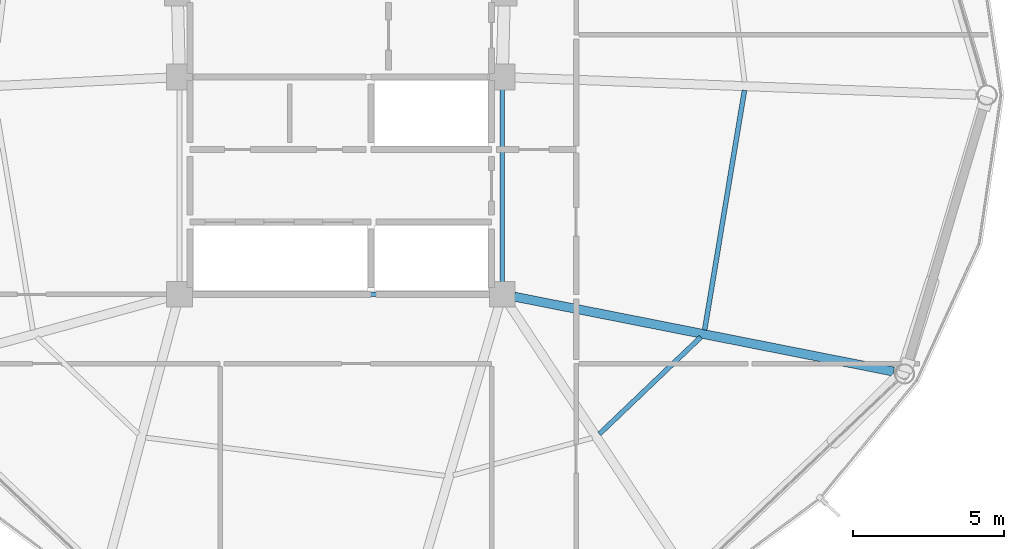
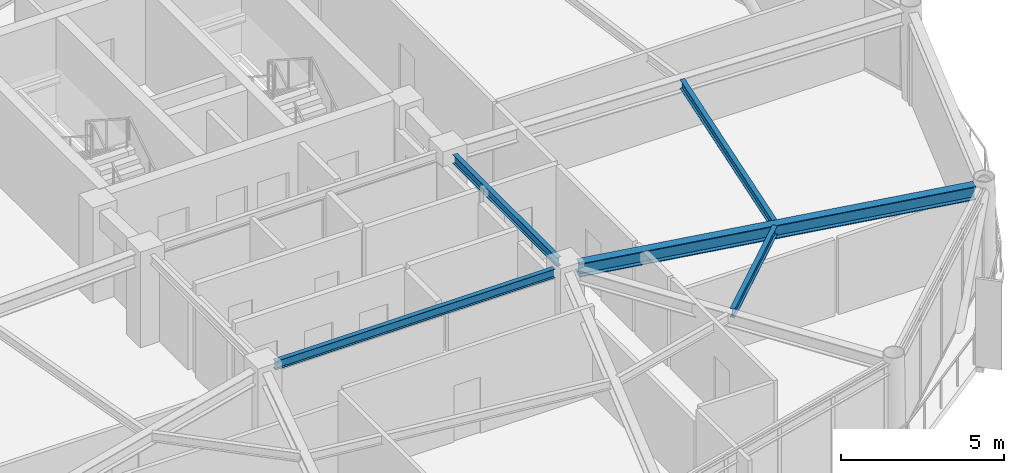
# One storey, part 11 of 29: 5 beams.
"""IFC4 building model written with IfcOpenShell, lengths in metres."""

from ifc_helpers import new_model, si_unit, direction, frame, origin, origin_2d, place, context, subcontext, project, spatial, i_section, extrude, material, material_profile, profile_set, type_object, element, save


model = new_model("IFC4")

# Units and contexts
model_context = context("Model", 3, precision=1e-05, world=origin(), true_north=direction((0.0, 1.0)))
body_context = subcontext(model_context, "Body", "Model", "MODEL_VIEW")
ifc_project = project(units=[si_unit("LENGTHUNIT", "METRE"), si_unit("AREAUNIT", "SQUARE_METRE"), si_unit("VOLUMEUNIT", "CUBIC_METRE"), si_unit("PLANEANGLEUNIT", "RADIAN"), si_unit("MASSUNIT", "GRAM", prefix="KILO")], contexts=[model_context])

# Site, building, storey
site_placement = place(None, origin())
site = spatial("IfcSite", under=ifc_project, at=site_placement, CompositionType="ELEMENT")
building_placement = place(site_placement, origin())
building = spatial("IfcBuilding", under=site, at=building_placement, Name="Varnakorn Sky Granary", CompositionType="ELEMENT")
storey_placement = place(building_placement, frame((0.0, 0.0, 189.60009765625)))
storey = spatial("IfcBuildingStorey", under=building, at=storey_placement, Name="L47", CompositionType="ELEMENT", Elevation=189.60009765625)

# Beams
ifc_material = material(Name="Steel S355JR", Category="steel")
ifc_material_profile_1 = material_profile(ifc_material, i_section(OverallWidth=0.300048828125, OverallDepth=0.5, WebThickness=0.014404296875, FlangeThickness=0.028076171875, at=origin_2d()), Name="HE 500 B")
ifc_profile_set_1 = profile_set([ifc_material_profile_1], Name="Steel S355JR")
beam_type_1 = type_object("IfcBeamType", Name="BM-RAD-Z4", PredefinedType="BEAM", material=ifc_profile_set_1)
beam_1_placement = place(storey_placement, frame((8.747314453125, -6.678466796875, 3.10986328125), z_axis=(0.981044591658, -0.1937821178, 0.0), x_axis=(0.1937821178, 0.981044591658, 0.0)))
element("IfcBeam", 1, at=beam_1_placement, inside=storey, type_object=beam_type_1, Name="Radial Floor Girder RG12 L47", PredefinedType="BEAM", context=body_context, shape_type="SweptSolid", body=[
    extrude(i_section(OverallWidth=0.300048828125, OverallDepth=0.5, WebThickness=0.014404296875, FlangeThickness=0.028076171875, at=origin_2d()), origin(), (0.0, 0.0, 1.0), 12.816650390625),
])
ifc_material_profile_2 = material_profile(ifc_material, i_section(OverallWidth=0.159912109375, OverallDepth=0.330078125, WebThickness=0.007568359375, FlangeThickness=0.011474609375, at=origin_2d()), Name="IPE 330")
ifc_profile_set_2 = profile_set([ifc_material_profile_2], Name="Steel S355JR")
beam_type_2 = type_object("IfcBeamType", Name="BM-SEC-Z4", PredefinedType="BEAM", material=ifc_profile_set_2)
beam_2_placement = place(storey_placement, frame((11.570068359375, -11.228271484375, 3.19482421875), z_axis=(0.723195797848, 0.690643061194, 0.0), x_axis=(-0.690643061194, 0.723195797848, 0.0)))
element("IfcBeam", 2, at=beam_2_placement, inside=storey, type_object=beam_type_2, Name="Secondary Floor Chord Beam MSB11 L47", PredefinedType="BEAM", context=body_context, shape_type="SweptSolid", body=[
    extrude(i_section(OverallWidth=0.159912109375, OverallDepth=0.330078125, WebThickness=0.007568359375, FlangeThickness=0.011474609375, at=origin_2d()), origin(), (0.0, 0.0, 1.0), 4.64990234375),
])
beam_3_placement = place(storey_placement, frame((15.05712890625, -7.781982421875, 3.19482421875), z_axis=(0.163990831968, 0.986461862938, 0.0), x_axis=(-0.986461862938, 0.163990831968, 0.0)))
element("IfcBeam", 3, at=beam_3_placement, inside=storey, type_object=beam_type_2, Name="Secondary Floor Chord Beam MSB12 L47", PredefinedType="BEAM", context=body_context, shape_type="SweptSolid", body=[
    extrude(i_section(OverallWidth=0.159912109375, OverallDepth=0.330078125, WebThickness=0.007568359375, FlangeThickness=0.011474609375, at=origin_2d()), origin(), (0.0, 0.0, 1.0), 8.051025390625),
])
beam_4_placement = place(storey_placement, frame((8.35009765625, 0.195068359375, 3.19482421875), z_axis=(0.0, -1.0, 0.0), x_axis=(1.0, 0.0, 0.0)))
element("IfcBeam", 4, at=beam_4_placement, inside=storey, type_object=beam_type_2, Name="Core Spine Framing Beam 4 L47", PredefinedType="BEAM", context=body_context, shape_type="SweptSolid", body=[
    extrude(i_section(OverallWidth=0.159912109375, OverallDepth=0.330078125, WebThickness=0.007568359375, FlangeThickness=0.011474609375, at=origin_2d()), origin(), (0.0, 0.0, 1.0), 6.39013671875),
])
beam_5_placement = place(storey_placement, frame((-1.945068359375, -6.60009765625, 3.19482421875), z_axis=(1.0, 0.0, 0.0), x_axis=(0.0, 1.0, 0.0)))
element("IfcBeam", 5, at=beam_5_placement, inside=storey, type_object=beam_type_2, Name="Core Spine Framing Beam 6 L47", PredefinedType="BEAM", context=body_context, shape_type="SweptSolid", body=[
    extrude(i_section(OverallWidth=0.159912109375, OverallDepth=0.330078125, WebThickness=0.007568359375, FlangeThickness=0.011474609375, at=origin_2d()), origin(), (0.0, 0.0, 1.0), 9.89013671875),
])

save(model, "model.ifc")
